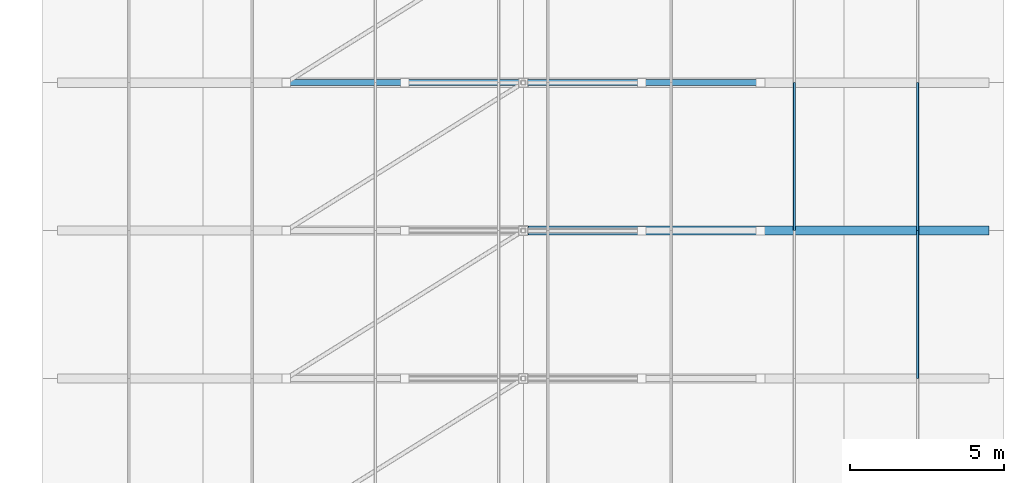
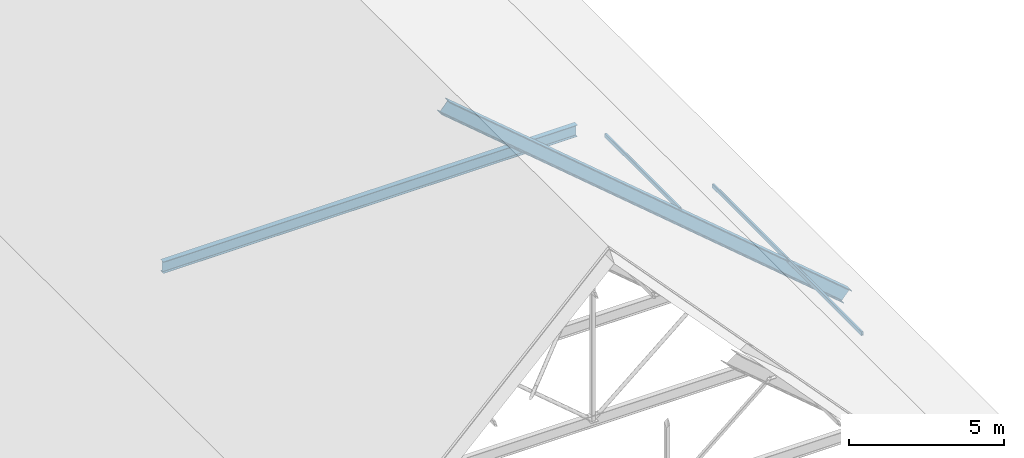
# One storey, part 30 of 60: 3 members, 2 beams.
"""IFC4 building model written with IfcOpenShell, lengths in metres."""

from ifc_helpers import new_model, si_unit, direction, frame, origin, origin_2d, place, context, subcontext, project, spatial, hollow_rectangle, i_section, extrude, material, material_profile, profile_set, type_object, element, save


model = new_model("IFC4")

# Units and contexts
model_context = context("Model", 3, precision=1e-05, world=origin(), true_north=direction((0.0, 1.0)))
body_context = subcontext(model_context, "Body", "Model", "MODEL_VIEW")
ifc_project = project(units=[si_unit("LENGTHUNIT", "METRE"), si_unit("AREAUNIT", "SQUARE_METRE"), si_unit("VOLUMEUNIT", "CUBIC_METRE"), si_unit("PLANEANGLEUNIT", "RADIAN"), si_unit("MASSUNIT", "GRAM", prefix="KILO")], contexts=[model_context])

# Site, building, storey
site_placement = place(None, origin())
site = spatial("IfcSite", under=ifc_project, at=site_placement, CompositionType="ELEMENT")
building_placement = place(site_placement, origin())
building = spatial("IfcBuilding", under=site, at=building_placement, Name="Nakhvara Creek Congress Hotel", CompositionType="ELEMENT")
storey_placement = place(building_placement, frame((0.0, 0.0, 54.60009765625)))
storey = spatial("IfcBuildingStorey", under=building, at=storey_placement, Name="RL1", CompositionType="ELEMENT", Elevation=54.60009765625)

# Beams
ifc_material_1 = material(Name="Steel S355J2", Category="steel")
ifc_material_profile_1 = material_profile(ifc_material_1, i_section(OverallWidth=0.300048828125, OverallDepth=0.5, WebThickness=0.014404296875, FlangeThickness=0.028076171875, FilletRadius=0.027099609375, at=origin_2d()), Name="HEB 500", Category="LoadBearing")
ifc_profile_set_1 = profile_set([ifc_material_profile_1], Name="Steel S355J2")
beam_type_1 = type_object("IfcBeamType", Name="BM-ST-HEB500", PredefinedType="BEAM", material=ifc_profile_set_1)
beam_1_placement = place(storey_placement, frame((164.39990234375, 106.800048828125, 8.11376953125), z_axis=(0.763392905421, 0.0, -0.645934417687), x_axis=(0.0, 1.0, 0.0)))
element("IfcBeam", 1, at=beam_1_placement, inside=storey, type_object=beam_type_1, Name="Hotel Gothic Gable East Rafter 08", PredefinedType="BEAM", context=body_context, shape_type="SweptSolid", body=[
    extrude(i_section(OverallWidth=0.300048828125, OverallDepth=0.5, WebThickness=0.014404296875, FlangeThickness=0.028076171875, FilletRadius=0.027099609375, at=origin_2d()), origin(), (0.0, 0.0, 1.0), 19.583984375),
])
ifc_material_profile_2 = material_profile(ifc_material_1, i_section(OverallWidth=0.1904296875, OverallDepth=0.45703125, WebThickness=0.009033203125, FlangeThickness=0.014404296875, FilletRadius=0.01025390625, at=origin_2d()), Name="UB 457x191x74", Category="LoadBearing")
ifc_profile_set_2 = profile_set([ifc_material_profile_2], Name="Steel S355J2")
beam_type_2 = type_object("IfcBeamType", Name="BM-ST-UB457", PredefinedType="BEAM", material=ifc_profile_set_2)
beam_2_placement = place(storey_placement, frame((156.70166015625, 111.60009765625, 1.599853515625), z_axis=(1.0, 0.0, 0.0), x_axis=(0.0, 1.0, 0.0)))
element("IfcBeam", 2, at=beam_2_placement, inside=storey, type_object=beam_type_2, Name="Hotel Gothic Gable Collar Tie 09", PredefinedType="BEAM", context=body_context, shape_type="SweptSolid", body=[
    extrude(i_section(OverallWidth=0.1904296875, OverallDepth=0.45703125, WebThickness=0.009033203125, FlangeThickness=0.014404296875, FilletRadius=0.01025390625, at=origin_2d()), origin(), (0.0, 0.0, 1.0), 15.396728515625),
])

# Members
ifc_material_2 = material(Name="Steel S355J2H", Category="steel")
ifc_material_profile_3 = material_profile(ifc_material_2, hollow_rectangle(XDim=0.080078125, YDim=0.159912109375, WallThickness=0.00634765625, InnerFilletRadius=0.00634765625, OuterFilletRadius=0.0126953125, at=origin_2d()), Name="RHS 160x80x6.3", Category="LoadBearing")
ifc_profile_set_3 = profile_set([ifc_material_profile_3], Name="Steel S355J2H")
member_type = type_object("IfcMemberType", Name="MEM-PUR-RHS160", PredefinedType="PURLIN", material=ifc_profile_set_3)
for number, where, z_axis, x_axis, name in (
    (3, (173.199951171875, 106.800048828125, 0.98779296875), (0.0, 1.0, 0.0), (-1.0, 0.0, 0.0), "Hotel Gable Purlin PR03-7.08"),
    (4, (177.199951171875, 102.0, -2.39697265625), (0.0, 1.0, 0.0), (-1.0, 0.0, 0.0), "Hotel Gable Purlin PR03-8.07"),
    (5, (177.199951171875, 106.800048828125, -2.39697265625), (0.0, 1.0, 0.0), (-1.0, 0.0, 0.0), "Hotel Gable Purlin PR03-8.08"),
):
    element("IfcMember", number, at=place(storey_placement, frame(where, z_axis=z_axis, x_axis=x_axis)), inside=storey, type_object=member_type, Name=name, PredefinedType="PURLIN", context=body_context, shape_type="SweptSolid", body=[
        extrude(hollow_rectangle(XDim=0.080078125, YDim=0.159912109375, WallThickness=0.00634765625, InnerFilletRadius=0.00634765625, OuterFilletRadius=0.0126953125, at=origin_2d()), origin(), (0.0, 0.0, 1.0), 4.800048828125),
    ])

save(model, "model.ifc")
